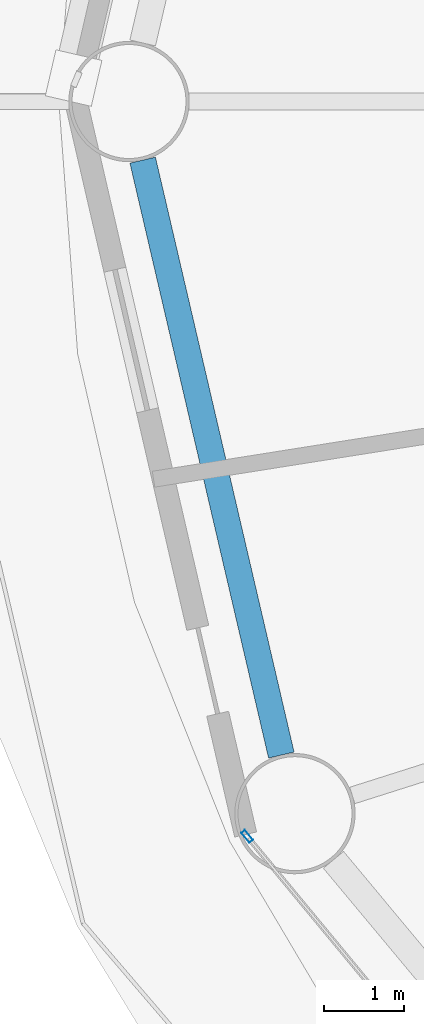
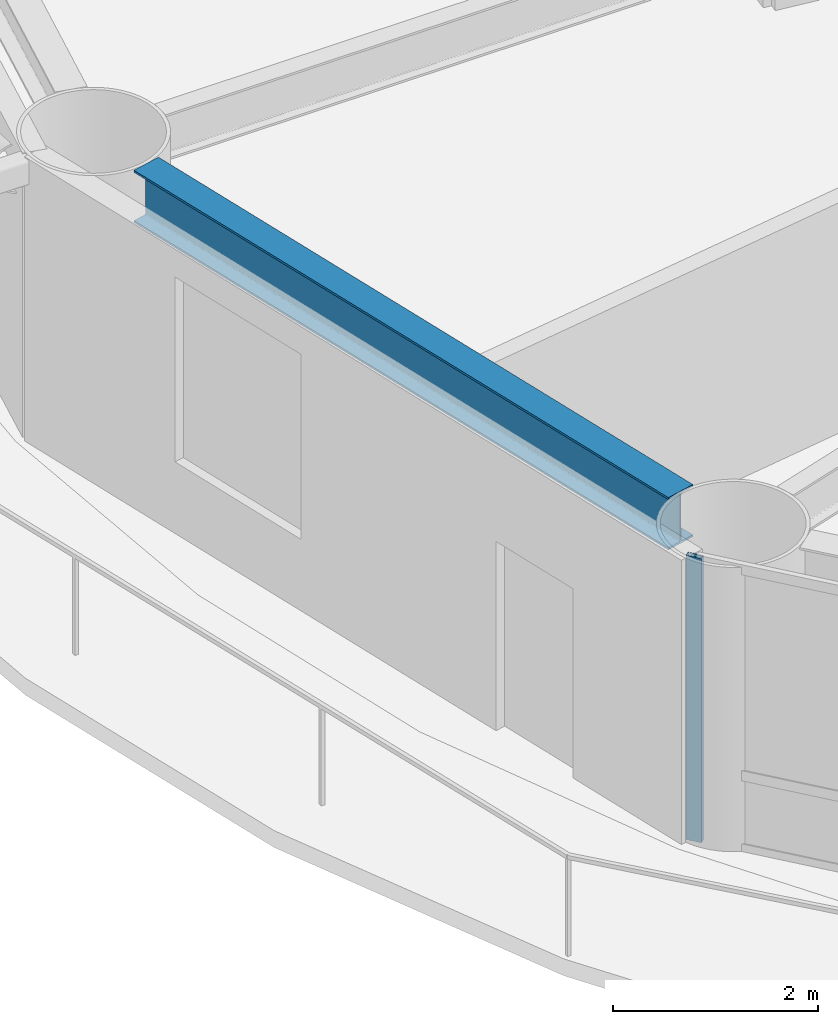
# One storey, part 4 of 28: 1 beam, 1 member, 1 element without a shape of its own.
"""IFC4 building model written with IfcOpenShell, lengths in metres."""

from ifc_helpers import new_model, si_unit, direction, frame, origin, origin_2d, place, context, subcontext, project, spatial, hollow_rectangle, i_section, extrude, material, layer, layer_set, material_profile, profile_set, type_object, element, aggregate, save


model = new_model("IFC4")

# Units and contexts
model_context = context("Model", 3, precision=1e-05, world=origin(), true_north=direction((0.0, 1.0)))
body_context = subcontext(model_context, "Body", "Model", "MODEL_VIEW")
ifc_project = project(units=[si_unit("LENGTHUNIT", "METRE"), si_unit("AREAUNIT", "SQUARE_METRE"), si_unit("VOLUMEUNIT", "CUBIC_METRE"), si_unit("PLANEANGLEUNIT", "RADIAN"), si_unit("MASSUNIT", "GRAM", prefix="KILO")], contexts=[model_context])

# Site, building, storey
site_placement = place(None, origin())
site = spatial("IfcSite", under=ifc_project, at=site_placement, CompositionType="ELEMENT")
building_placement = place(site_placement, origin())
building = spatial("IfcBuilding", under=site, at=building_placement, Name="Sarneth Arch Tower", CompositionType="ELEMENT")
storey_placement = place(building_placement, frame((0.0, 0.0, 67.800048828125)))
storey = spatial("IfcBuildingStorey", under=building, at=storey_placement, Name="L16", CompositionType="ELEMENT", Elevation=67.800048828125)

# Beam
ifc_material_1 = material(Name="Steel S355", Category="steel")
ifc_material_profile_1 = material_profile(ifc_material_1, i_section(OverallWidth=0.326904296875, OverallDepth=0.6220703125, WebThickness=0.015380859375, FlangeThickness=0.0244140625, FilletRadius=0.01904296875, at=origin_2d()), Name="W610x195")
ifc_profile_set_1 = profile_set([ifc_material_profile_1], Name="Steel S355")
beam_type = type_object("IfcBeamType", Name="BM-SPAN-610A", PredefinedType="SPANDREL", material=ifc_profile_set_1)
beam_placement = place(storey_placement, frame((18.135498046875, 41.26953125, 3.06884765625), z_axis=(0.226982354826, -0.973898870827, 0.0), x_axis=(0.973898870827, 0.226982354826, 0.0)))
element("IfcBeam", 1, at=beam_placement, inside=storey, type_object=beam_type, Name="L16 Perimeter spandrel beam 09", PredefinedType="SPANDREL", context=body_context, shape_type="SweptSolid", body=[
    extrude(i_section(OverallWidth=0.326904296875, OverallDepth=0.6220703125, WebThickness=0.015380859375, FlangeThickness=0.0244140625, FilletRadius=0.01904296875, at=origin_2d()), origin(), (0.0, 0.0, 1.0), 7.6162109375),
])

# Curtain wall, member
ifc_material_2 = material(Name="Anodised aluminium Type AA25 and solar-control low-e laminated IGU", Category="aluminium")
ifc_layer = layer(ifc_material_2, 0.159912109375)
ifc_layer_set = layer_set([ifc_layer], Name="Anodised aluminium Type AA25 and solar-control low-e laminated IGU")
curtain_wall_type = type_object("IfcCurtainWallType", Name="CW-HOTEL-LOW", PredefinedType="NOTDEFINED", material=ifc_layer_set)
curtain_wall_placement = place(storey_placement, origin())
curtain_wall = element("IfcCurtainWall", 2, at=curtain_wall_placement, inside=storey, type_object=curtain_wall_type, Name="L16 Unitised curtain wall facet 10", PredefinedType="NOTDEFINED")
ifc_material_3 = material(Name="Anodised Aluminium 6063-T6", Category="aluminium")
ifc_material_profile_2 = material_profile(ifc_material_3, hollow_rectangle(XDim=0.06005859375, YDim=0.159912109375, WallThickness=0.00390625, at=origin_2d()), Name="AL-MULL-160x60x4")
ifc_profile_set_2 = profile_set([ifc_material_profile_2], Name="Anodised Aluminium 6063-T6")
member_type = type_object("IfcMemberType", Name="CW-MULLION", PredefinedType="MULLION", material=ifc_profile_set_2)
member_placement = place(storey_placement, frame((19.438232421875, 32.83837890625, 0.0), z_axis=(0.0, 0.0, 1.0), x_axis=(0.770622960278, 0.637291340827, 0.0)))
member = element("IfcMember", 3, at=member_placement, type_object=member_type, Name="CW-SYS-3 mullion 1", PredefinedType="MULLION", context=body_context, shape_type="SweptSolid", body=[
    extrude(hollow_rectangle(XDim=0.06005859375, YDim=0.159912109375, WallThickness=0.00390625, at=origin_2d()), origin(), (0.0, 0.0, 1.0), 3.3798828125),
])
aggregate(curtain_wall, [member])

save(model, "model.ifc")
